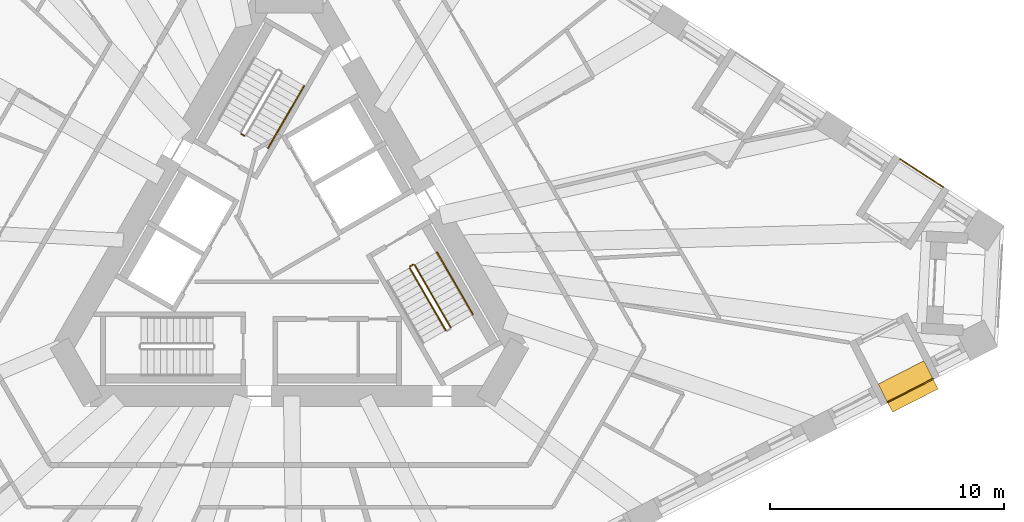
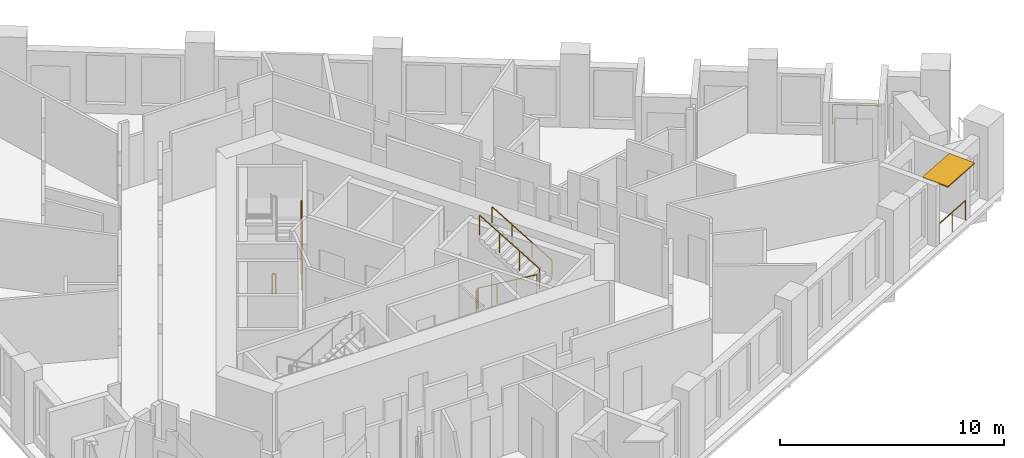
# One storey, part 11 of 13: 8 railings, 1 shading device.
"""IFC4 building model written with IfcOpenShell, lengths in metres."""

from ifc_helpers import new_model, si_unit, direction, frame, origin, origin_2d, place, context, subcontext, project, spatial, rectangle, circle, extrude, material, layer, layer_set, type_object, element, save


model = new_model("IFC4")

# Units and contexts
model_context = context("Model", 3, precision=1e-05, world=origin(), true_north=direction((0.0, 1.0)))
body_context = subcontext(model_context, "Body", "Model", "MODEL_VIEW")
ifc_project = project(units=[si_unit("LENGTHUNIT", "METRE"), si_unit("AREAUNIT", "SQUARE_METRE"), si_unit("VOLUMEUNIT", "CUBIC_METRE"), si_unit("PLANEANGLEUNIT", "RADIAN"), si_unit("MASSUNIT", "GRAM", prefix="KILO")], contexts=[model_context])

# Site, building, storey
site_placement = place(None, origin())
site = spatial("IfcSite", under=ifc_project, at=site_placement, CompositionType="ELEMENT")
building_placement = place(site_placement, origin())
building = spatial("IfcBuilding", under=site, at=building_placement, Name="Tramontana Tower", CompositionType="ELEMENT")
storey_placement = place(building_placement, frame((0.0, 0.0, 145.60009765625)))
storey = spatial("IfcBuildingStorey", under=building, at=storey_placement, Name="L33", CompositionType="ELEMENT", Elevation=145.60009765625)

# Railings
ifc_material_1 = material(Name="Laminated glass balustrade", Category="glass")
railing_type_1 = type_object("IfcRailingType", Name="GD1 Loggia glass balustrade 1100", PredefinedType="BALUSTRADE", material=ifc_material_1)
railing_1_placement = place(storey_placement, frame((25.603271484375, -6.5615234375, 0.0)))
element("IfcRailing", 1, at=railing_1_placement, inside=storey, type_object=railing_type_1, Name="Loggia balustrade L33 G3S1.16", PredefinedType="BALUSTRADE", context=body_context, shape_type="SweptSolid", body=[
    extrude(circle(Radius=0.02392578125, at=origin_2d()), frame((0.0, 0.0, 1.076171875), z_axis=(0.891013126725, 0.4539775413, 0.0), x_axis=(-0.4539775413, 0.891013126725, 0.0)), (0.0, 0.0, 1.0), 2.1904296875),
    extrude(circle(Radius=0.02099609375, at=origin_2d()), origin(), (0.0, 0.0, 1.0), 1.052001953125),
    extrude(circle(Radius=0.02099609375, at=origin_2d()), frame((0.975830078125, 0.4970703125, 0.0)), (0.0, 0.0, 1.0), 1.052001953125),
    extrude(circle(Radius=0.02099609375, at=origin_2d()), frame((1.95166015625, 0.994384765625, 0.0)), (0.0, 0.0, 1.0), 1.052001953125),
])
railing_2_placement = place(storey_placement, frame((27.98583984375, 2.65625, 0.0)))
element("IfcRailing", 2, at=railing_2_placement, inside=storey, type_object=railing_type_1, Name="Loggia balustrade L33 G3S2.1", PredefinedType="BALUSTRADE", context=body_context, shape_type="SweptSolid", body=[
    extrude(circle(Radius=0.02392578125, at=origin_2d()), frame((0.0, 0.0, 1.076171875), z_axis=(-0.838659986147, 0.544655329209, 0.0), x_axis=(-0.544655329209, -0.838659986147, 0.0)), (0.0, 0.0, 1.0), 2.190673828125),
    extrude(circle(Radius=0.02099609375, at=origin_2d()), origin(), (0.0, 0.0, 1.0), 1.052001953125),
    extrude(circle(Radius=0.02099609375, at=origin_2d()), frame((-0.91845703125, 0.5966796875, 0.0)), (0.0, 0.0, 1.0), 1.052001953125),
    extrude(circle(Radius=0.02099609375, at=origin_2d()), frame((-1.837158203125, 1.193115234375, 0.0)), (0.0, 0.0, 1.0), 1.052001953125),
])

# Shading device
ifc_material_2 = material(Name="Precast concrete 60 MPa", Category="concrete")
ifc_layer = layer(ifc_material_2, 0.06005859375)
ifc_layer_set = layer_set([ifc_layer], Name="SS1 Stone sunshade blade 60")
shading_device_type = type_object("IfcShadingDeviceType", Name="SS1 Stone sunshade blade 60", PredefinedType="USERDEFINED", material=ifc_layer_set)
shading_device_placement = place(storey_placement, frame((26.490478515625, -5.890625, 3.239990234375), z_axis=(0.0, 0.0, 1.0), x_axis=(0.891006524188, 0.45399049974, 0.0)))
element("IfcShadingDevice", 3, at=shading_device_placement, inside=storey, type_object=shading_device_type, Name="Sunshade L33 G3S1.16", ObjectType="SUNSHADE", PredefinedType="USERDEFINED", context=body_context, shape_type="SweptSolid", body=[
    extrude(rectangle(XDim=2.1904296875, YDim=1.35009765625, at=origin_2d()), origin(), (0.0, 0.0, 1.0), 0.06005859375),
])

# Railings
ifc_material_3 = material(Name="Painted steel", Category="steel")
railing_type_2 = type_object("IfcRailingType", Name="STAIR GUARD 1100", PredefinedType="GUARDRAIL", material=ifc_material_3)
railing_3_placement = place(storey_placement, frame((-1.935791015625, 4.84716796875, 0.0)))
element("IfcRailing", 4, at=railing_3_placement, inside=storey, type_object=railing_type_2, Name="L33 ST1 stair guard 4", PredefinedType="GUARDRAIL", context=body_context, shape_type="SweptSolid", body=[
    extrude(circle(Radius=0.02392578125, at=origin_2d()), frame((0.0, 0.0, 1.076171875), z_axis=(-0.865426285481, 0.501036270542, 0.0), x_axis=(-0.501036270542, -0.865426285481, 0.0)), (0.0, 0.0, 1.0), 0.150146484375),
    extrude(circle(Radius=0.02099609375, at=origin_2d()), origin(), (0.0, 0.0, 1.0), 1.052001953125),
    extrude(circle(Radius=0.02099609375, at=origin_2d()), frame((-0.1298828125, 0.0751953125, 0.0)), (0.0, 0.0, 1.0), 1.052001953125),
])
railing_4_placement = place(storey_placement, frame((5.1474609375, -0.815673828125, 0.16650390625)))
element("IfcRailing", 5, at=railing_4_placement, inside=storey, type_object=railing_type_2, Name="L33 ST3 stair guard 1", PredefinedType="GUARDRAIL", context=body_context, shape_type="SweptSolid", body=[
    extrude(circle(Radius=0.02392578125, at=origin_2d()), frame((0.0, 0.0, 1.076171875), z_axis=(0.429656224001, -0.744133520484, 0.511527939481), x_axis=(0.866010015463, 0.500026652407, 0.0)), (0.0, 0.0, 1.0), 3.58447265625),
    extrude(circle(Radius=0.02099609375, at=origin_2d()), origin(), (0.0, 0.0, 1.0), 1.052001953125),
    extrude(circle(Radius=0.02099609375, at=origin_2d()), frame((0.513427734375, -0.88916015625, 0.611083984375)), (0.0, 0.0, 1.0), 1.052001953125),
    extrude(circle(Radius=0.02099609375, at=origin_2d()), frame((1.026611328125, -1.778076171875, 1.222412109375)), (0.0, 0.0, 1.0), 1.052001953125),
    extrude(circle(Radius=0.02099609375, at=origin_2d()), frame((1.5400390625, -2.667236328125, 1.83349609375)), (0.0, 0.0, 1.0), 1.052001953125),
])
railing_5_placement = place(storey_placement, frame((6.90380859375, -3.35791015625, 2.16650390625)))
element("IfcRailing", 6, at=railing_5_placement, inside=storey, type_object=railing_type_2, Name="L33 ST3 stair guard 2", PredefinedType="GUARDRAIL", context=body_context, shape_type="SweptSolid", body=[
    extrude(circle(Radius=0.02392578125, at=origin_2d()), frame((0.0, 0.0, 1.076171875), z_axis=(-0.429600682602, 0.744155296881, 0.511542908886), x_axis=(-0.866044340336, -0.499967199496, 0.0)), (0.0, 0.0, 1.0), 3.584228515625),
    extrude(circle(Radius=0.02099609375, at=origin_2d()), origin(), (0.0, 0.0, 1.0), 1.052001953125),
    extrude(circle(Radius=0.02099609375, at=origin_2d()), frame((-0.51318359375, 0.88916015625, 0.611083984375)), (0.0, 0.0, 1.0), 1.052001953125),
    extrude(circle(Radius=0.02099609375, at=origin_2d()), frame((-1.026611328125, 1.778076171875, 1.222412109375)), (0.0, 0.0, 1.0), 1.052001953125),
    extrude(circle(Radius=0.02099609375, at=origin_2d()), frame((-1.539794921875, 2.667236328125, 1.83349609375)), (0.0, 0.0, 1.0), 1.052001953125),
])
railing_6_placement = place(storey_placement, frame((5.165771484375, -0.747314453125, 0.0)))
element("IfcRailing", 7, at=railing_6_placement, inside=storey, type_object=railing_type_2, Name="L33 ST3 stair guard 4", PredefinedType="GUARDRAIL", context=body_context, shape_type="SweptSolid", body=[
    extrude(circle(Radius=0.02392578125, at=origin_2d()), frame((0.0, 0.0, 1.076171875), z_axis=(0.866131372301, 0.499816412211, 0.0), x_axis=(-0.499816412211, 0.866131372301, 0.0)), (0.0, 0.0, 1.0), 0.14990234375),
    extrude(circle(Radius=0.02099609375, at=origin_2d()), origin(), (0.0, 0.0, 1.0), 1.052001953125),
    extrude(circle(Radius=0.02099609375, at=origin_2d()), frame((0.1298828125, 0.074951171875, 0.0)), (0.0, 0.0, 1.0), 1.052001953125),
])
ifc_material_4 = material(Name="Painted steel", Category="steel")
railing_type_3 = type_object("IfcRailingType", Name="STAIR HANDRAIL 900", PredefinedType="HANDRAIL", material=ifc_material_4)
railing_7_placement = place(storey_placement, frame((-0.914794921875, 4.315673828125, 0.16650390625)))
element("IfcRailing", 8, at=railing_7_placement, inside=storey, type_object=railing_type_3, Name="L33 ST1 stair handrail 1", PredefinedType="HANDRAIL", context=body_context, shape_type="SweptSolid", body=[
    extrude(circle(Radius=0.02392578125, at=origin_2d()), frame((0.0, 0.0, 0.8759765625), z_axis=(0.429656224001, 0.744133520484, 0.511527939481), x_axis=(-0.866010015463, 0.500026652407, 0.0)), (0.0, 0.0, 1.0), 3.58447265625),
    extrude(circle(Radius=0.02099609375, at=origin_2d()), origin(), (0.0, 0.0, 1.0), 0.851806640625),
    extrude(circle(Radius=0.02099609375, at=origin_2d()), frame((0.513427734375, 0.88916015625, 0.611083984375)), (0.0, 0.0, 1.0), 0.851806640625),
    extrude(circle(Radius=0.02099609375, at=origin_2d()), frame((1.026611328125, 1.778076171875, 1.222412109375)), (0.0, 0.0, 1.0), 0.851806640625),
    extrude(circle(Radius=0.02099609375, at=origin_2d()), frame((1.5400390625, 2.667236328125, 1.83349609375)), (0.0, 0.0, 1.0), 0.851806640625),
])
railing_8_placement = place(storey_placement, frame((7.8564453125, -2.807861328125, 2.16650390625)))
element("IfcRailing", 9, at=railing_8_placement, inside=storey, type_object=railing_type_3, Name="L33 ST3 stair handrail 2", PredefinedType="HANDRAIL", context=body_context, shape_type="SweptSolid", body=[
    extrude(circle(Radius=0.02392578125, at=origin_2d()), frame((0.0, 0.0, 0.8759765625), z_axis=(-0.429600682602, 0.744155296881, 0.511542908886), x_axis=(-0.866044340336, -0.499967199496, 0.0)), (0.0, 0.0, 1.0), 3.584228515625),
    extrude(circle(Radius=0.02099609375, at=origin_2d()), origin(), (0.0, 0.0, 1.0), 0.851806640625),
    extrude(circle(Radius=0.02099609375, at=origin_2d()), frame((-0.51318359375, 0.88916015625, 0.611083984375)), (0.0, 0.0, 1.0), 0.851806640625),
    extrude(circle(Radius=0.02099609375, at=origin_2d()), frame((-1.026611328125, 1.778076171875, 1.222412109375)), (0.0, 0.0, 1.0), 0.851806640625),
    extrude(circle(Radius=0.02099609375, at=origin_2d()), frame((-1.539794921875, 2.667236328125, 1.83349609375)), (0.0, 0.0, 1.0), 0.851806640625),
])

save(model, "model.ifc")
